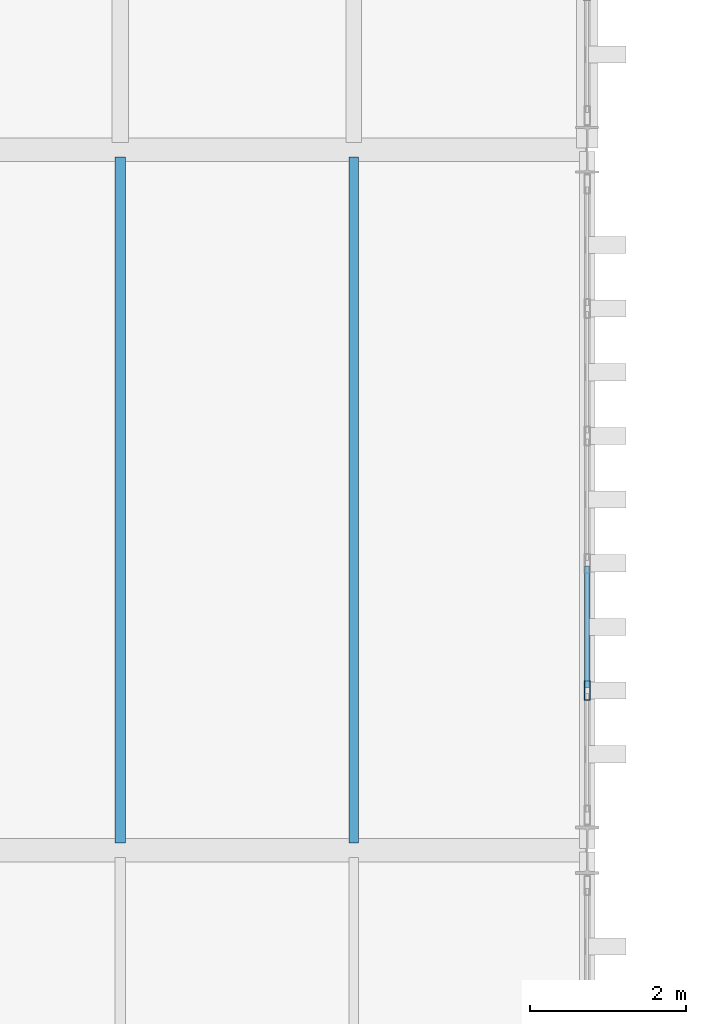
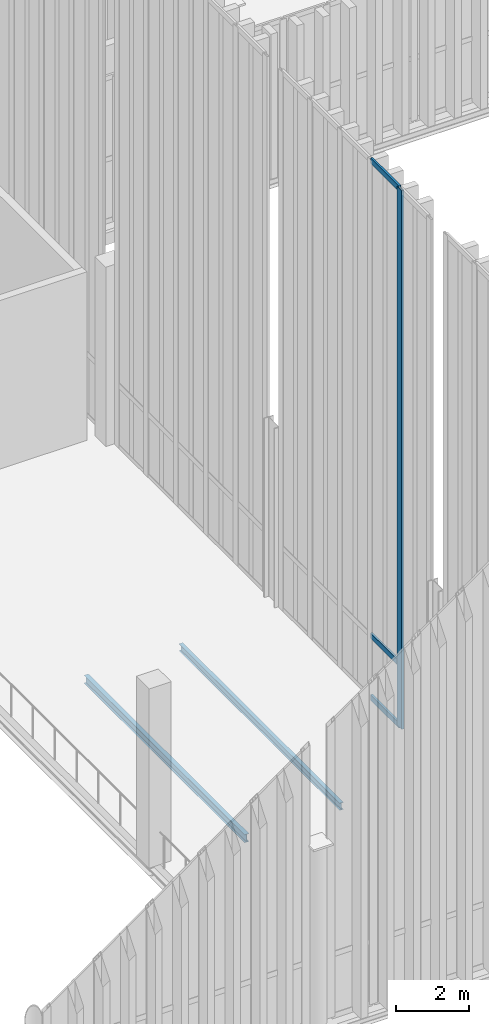
# One storey, part 52 of 237: 4 members, 2 beams, 1 element without a shape of its own.
"""IFC4 building model written with IfcOpenShell, lengths in metres."""

from ifc_helpers import new_model, si_unit, direction, frame, origin, origin_2d, place, context, subcontext, project, spatial, hollow_rectangle, i_section, extrude, material, layer, layer_set, material_profile, profile_set, type_object, element, aggregate, save


model = new_model("IFC4")

# Units and contexts
model_context = context("Model", 3, precision=1e-05, world=origin(), true_north=direction((0.0, 1.0)))
body_context = subcontext(model_context, "Body", "Model", "MODEL_VIEW")
ifc_project = project(units=[si_unit("LENGTHUNIT", "METRE"), si_unit("AREAUNIT", "SQUARE_METRE"), si_unit("VOLUMEUNIT", "CUBIC_METRE"), si_unit("PLANEANGLEUNIT", "RADIAN"), si_unit("MASSUNIT", "GRAM", prefix="KILO")], contexts=[model_context])

# Site, building, storey
site_placement = place(None, origin())
site = spatial("IfcSite", under=ifc_project, at=site_placement, CompositionType="ELEMENT")
building_placement = place(site_placement, origin())
building = spatial("IfcBuilding", under=site, at=building_placement, Name="Barlavento Convention Centre", CompositionType="ELEMENT")
storey_placement = place(building_placement, frame((0.0, 0.0, 12.0)))
storey = spatial("IfcBuildingStorey", under=building, at=storey_placement, Name="L02", CompositionType="ELEMENT", Elevation=12.0)

# Curtain wall, members
ifc_material_1 = material(Name="Powder-coated aluminium and Low-E glass", Category="aluminium")
ifc_layer = layer(ifc_material_1, 0.18994140625)
ifc_layer_set = layer_set([ifc_layer], Name="ARC-CW-CONG-L02")
curtain_wall_type = type_object("IfcCurtainWallType", Name="ARC-CW-CONG-L02", PredefinedType="NOTDEFINED", material=ifc_layer_set)
curtain_wall_placement = place(storey_placement, origin())
curtain_wall = element("IfcCurtainWall", 1, at=curtain_wall_placement, inside=storey, type_object=curtain_wall_type, Name="L02 unitised curtain wall CW02", PredefinedType="NOTDEFINED")
ifc_material_2 = material(Name="Powder-coated aluminium", Category="aluminium")
ifc_material_profile_1 = material_profile(ifc_material_2, hollow_rectangle(XDim=0.074951171875, YDim=0.25, WallThickness=0.006103515625, at=origin_2d()), Name="AL-MULL 75x250x6")
ifc_profile_set_1 = profile_set([ifc_material_profile_1], Name="Powder-coated aluminium")
member_type_1 = type_object("IfcMemberType", Name="ARC-CWM-75X250", PredefinedType="MULLION", material=ifc_profile_set_1)
member_1_placement = place(storey_placement, frame((63.0, 20.051025390625, 0.0), z_axis=(0.0, 0.0, 1.0), x_axis=(-1.0, 0.0, 0.0)))
member_1 = element("IfcMember", 2, at=member_1_placement, type_object=member_type_1, Name="CW02 mullion 2", PredefinedType="MULLION", context=body_context, shape_type="SweptSolid", body=[
    extrude(hollow_rectangle(XDim=0.074951171875, YDim=0.25, WallThickness=0.006103515625, at=origin_2d()), origin(), (0.0, 0.0, 1.0), 18.037109375),
])
ifc_material_profile_2 = material_profile(ifc_material_2, hollow_rectangle(XDim=0.070068359375, YDim=0.179931640625, WallThickness=0.0048828125, at=origin_2d()), Name="AL-TRAN 70x180x5")
ifc_profile_set_2 = profile_set([ifc_material_profile_2], Name="Powder-coated aluminium")
member_type_2 = type_object("IfcMemberType", Name="ARC-CWT-70X180", PredefinedType="USERDEFINED", material=ifc_profile_set_2)
member_2_placement = place(storey_placement, frame((63.0, 20.08837890625, 0.034912109375), z_axis=(0.0, 1.0, 0.0), x_axis=(-1.0, 0.0, 0.0)))
member_2 = element("IfcMember", 3, at=member_2_placement, type_object=member_type_2, Name="CW02 transom 2.1", ObjectType="TRANSOM", PredefinedType="USERDEFINED", context=body_context, shape_type="SweptSolid", body=[
    extrude(hollow_rectangle(XDim=0.070068359375, YDim=0.179931640625, WallThickness=0.0048828125, at=origin_2d()), origin(), (0.0, 0.0, 1.0), 1.56103515625),
])
member_3_placement = place(storey_placement, frame((63.0, 20.08837890625, 2.10009765625), z_axis=(0.0, 1.0, 0.0), x_axis=(-1.0, 0.0, 0.0)))
member_3 = element("IfcMember", 4, at=member_3_placement, type_object=member_type_2, Name="CW02 transom 2.2", ObjectType="TRANSOM", PredefinedType="USERDEFINED", context=body_context, shape_type="SweptSolid", body=[
    extrude(hollow_rectangle(XDim=0.070068359375, YDim=0.179931640625, WallThickness=0.0048828125, at=origin_2d()), origin(), (0.0, 0.0, 1.0), 1.56103515625),
])
member_4_placement = place(storey_placement, frame((63.0, 20.08837890625, 18.001953125), z_axis=(0.0, 1.0, 0.0), x_axis=(-1.0, 0.0, 0.0)))
member_4 = element("IfcMember", 5, at=member_4_placement, type_object=member_type_2, Name="CW02 transom 2.3", ObjectType="TRANSOM", PredefinedType="USERDEFINED", context=body_context, shape_type="SweptSolid", body=[
    extrude(hollow_rectangle(XDim=0.070068359375, YDim=0.179931640625, WallThickness=0.0048828125, at=origin_2d()), origin(), (0.0, 0.0, 1.0), 1.56103515625),
])
aggregate(curtain_wall, [member_1, member_2, member_3, member_4])

# Beams
ifc_material_3 = material(Name="Steel S355", Category="steel")
ifc_material_profile_3 = material_profile(ifc_material_3, i_section(OverallWidth=0.1201171875, OverallDepth=0.239990234375, WebThickness=0.006103515625, FlangeThickness=0.009765625, FilletRadius=0.014892578125, at=origin_2d()), Name="IPE 240")
ifc_profile_set_3 = profile_set([ifc_material_profile_3], Name="Steel S355")
beam_type_1 = type_object("IfcBeamType", Name="STR-BM-JST-IPE240", PredefinedType="JOIST", material=ifc_profile_set_3)
beam_1_placement = place(storey_placement, frame((60.0, 18.094970703125, -0.419921875), z_axis=(0.0, 1.0, 0.0), x_axis=(-1.0, 0.0, 0.0)))
element("IfcBeam", 6, at=beam_1_placement, inside=storey, type_object=beam_type_1, Name="L02 composite floor joist SJ09", PredefinedType="JOIST", context=body_context, shape_type="SweptSolid", body=[
    extrude(i_section(OverallWidth=0.1201171875, OverallDepth=0.239990234375, WebThickness=0.006103515625, FlangeThickness=0.009765625, FilletRadius=0.014892578125, at=origin_2d()), origin(), (0.0, 0.0, 1.0), 8.81005859375),
])
ifc_material_profile_4 = material_profile(ifc_material_3, i_section(OverallWidth=0.135009765625, OverallDepth=0.27001953125, WebThickness=0.006591796875, FlangeThickness=0.01025390625, FilletRadius=0.014892578125, at=origin_2d()), Name="IPE 270")
ifc_profile_set_4 = profile_set([ifc_material_profile_4], Name="Steel S355")
beam_type_2 = type_object("IfcBeamType", Name="STR-BM-JST-IPE270", PredefinedType="JOIST", material=ifc_profile_set_4)
beam_2_placement = place(storey_placement, frame((57.0, 18.094970703125, -0.43505859375), z_axis=(0.0, 1.0, 0.0), x_axis=(-1.0, 0.0, 0.0)))
element("IfcBeam", 7, at=beam_2_placement, inside=storey, type_object=beam_type_2, Name="L02 composite floor joist SJ08", PredefinedType="JOIST", context=body_context, shape_type="SweptSolid", body=[
    extrude(i_section(OverallWidth=0.135009765625, OverallDepth=0.27001953125, WebThickness=0.006591796875, FlangeThickness=0.01025390625, FilletRadius=0.014892578125, at=origin_2d()), origin(), (0.0, 0.0, 1.0), 8.81005859375),
])

save(model, "model.ifc")
